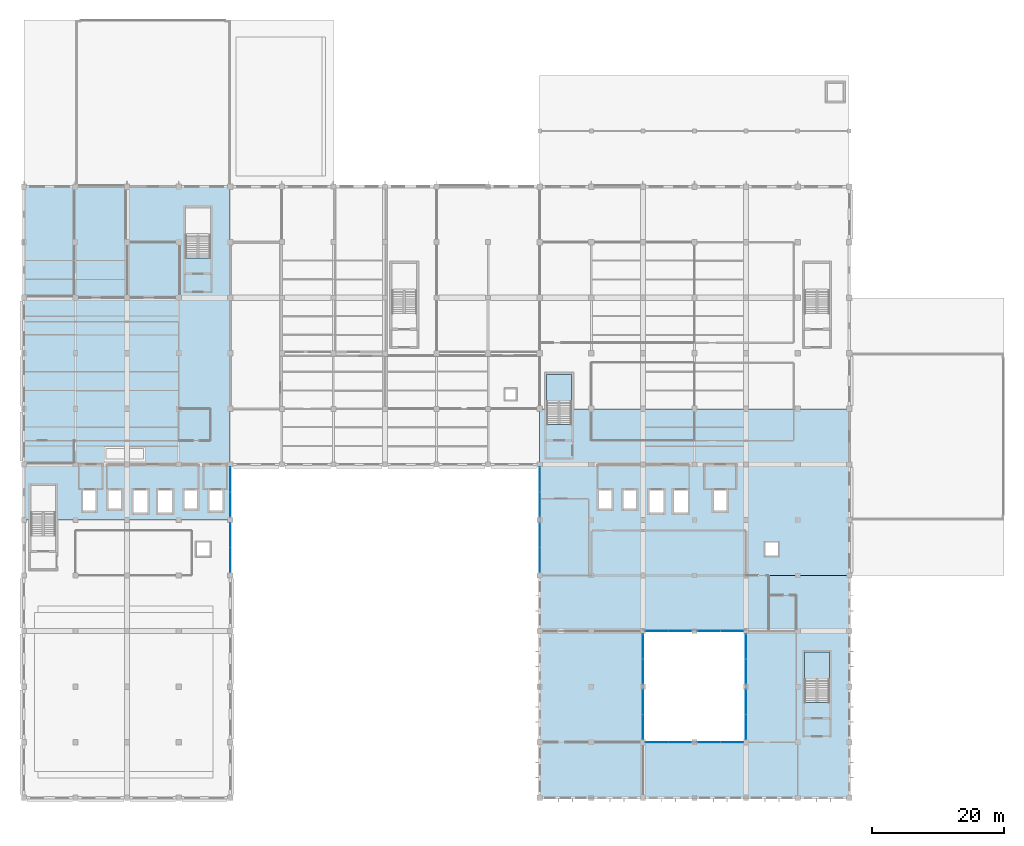
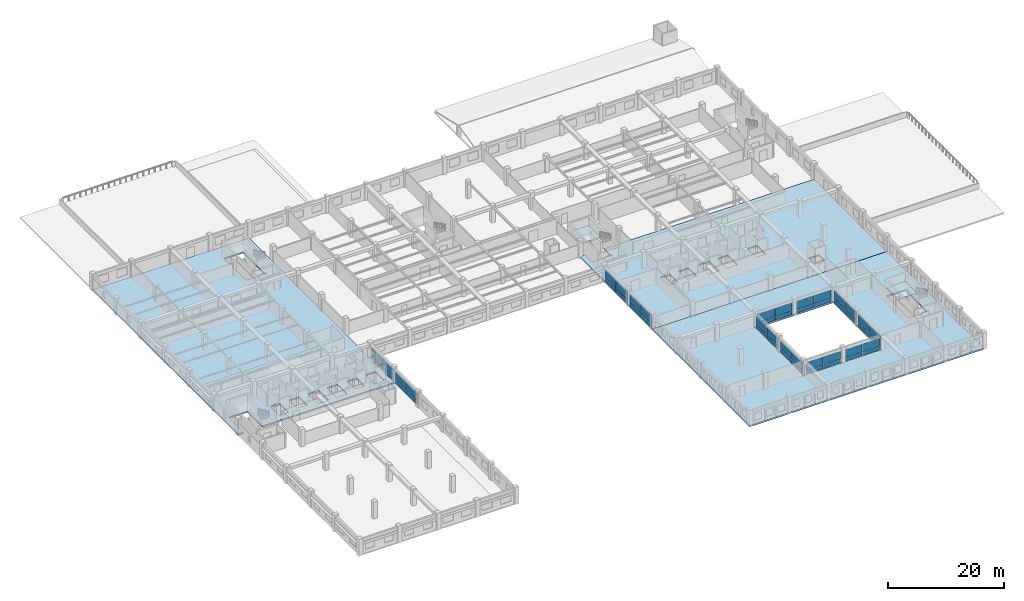
# One storey, part 26 of 50: 48 plates, 5 slabs, 14 elements without a shape of their own.
"""IFC4 building model written with IfcOpenShell, lengths in metres."""

from ifc_helpers import new_model, si_unit, direction, frame, origin, origin_2d, place, context, subcontext, project, spatial, polyline, rectangle, outline, extrude, material, layer, layer_set, type_object, element, aggregate, save


model = new_model("IFC4")

# Units and contexts
model_context = context("Model", 3, precision=1e-05, world=origin(), true_north=direction((0.0, 1.0)))
body_context = subcontext(model_context, "Body", "Model", "MODEL_VIEW")
ifc_project = project(units=[si_unit("LENGTHUNIT", "METRE"), si_unit("AREAUNIT", "SQUARE_METRE"), si_unit("VOLUMEUNIT", "CUBIC_METRE"), si_unit("PLANEANGLEUNIT", "RADIAN"), si_unit("MASSUNIT", "GRAM", prefix="KILO"), si_unit("THERMODYNAMICTEMPERATUREUNIT", "KELVIN"), si_unit("POWERUNIT", "WATT")], contexts=[model_context])

# Site, building, storey
site_placement = place(None, origin())
site = spatial("IfcSite", under=ifc_project, at=site_placement, CompositionType="ELEMENT")
building_placement = place(site_placement, origin())
building = spatial("IfcBuilding", under=site, at=building_placement, Name="Srebrne Nadtorze General Hospital", CompositionType="ELEMENT")
storey_placement = place(building_placement, frame((0.0, 0.0, 14.39990234375)))
storey = spatial("IfcBuildingStorey", under=building, at=storey_placement, Name="L03", CompositionType="ELEMENT", Elevation=14.39990234375)

# Curtain wall, plates
ifc_material_1 = material(Name="Anodised Aluminium", Category="aluminium")
curtain_wall_type_1 = type_object("IfcCurtainWallType", Name="Unitised curtain wall 7000x2620", PredefinedType="NOTDEFINED", material=ifc_material_1)
curtain_wall_1_placement = place(storey_placement, origin())
curtain_wall_1 = element("IfcCurtainWall", 1, at=curtain_wall_1_placement, inside=storey, type_object=curtain_wall_type_1, Name="Curtain wall CW-090", PredefinedType="NOTDEFINED")
ifc_material_2 = material(Name="Triple Low-E Glazing", Category="glass")
ifc_layer_1 = layer(ifc_material_2, 0.050048828125)
ifc_layer_set_1 = layer_set([ifc_layer_1], Name="Triple Low-E Glazing")
plate_type = type_object("IfcPlateType", Name="Glazed curtain panel 50", PredefinedType="CURTAIN_PANEL", material=ifc_layer_set_1)
plate_1_placement = place(storey_placement, frame((119.1650390625, 8.39990234375, 0.06005859375), z_axis=(0.0, 0.0, 1.0), x_axis=(1.0, 0.0, 0.0)))
plate_1 = element("IfcPlate", 2, at=plate_1_placement, type_object=plate_type, Name="CW-090 panel 1.1", PredefinedType="CURTAIN_PANEL", context=body_context, shape_type="SweptSolid", body=[
    extrude(rectangle(XDim=3.409912109375, YDim=0.050048828125, at=origin_2d()), origin(), (0.0, 0.0, 1.0), 0.760009765625),
])
plate_2_placement = place(storey_placement, frame((119.1650390625, 8.39990234375, 0.88037109375), z_axis=(0.0, 0.0, 1.0), x_axis=(1.0, 0.0, 0.0)))
plate_2 = element("IfcPlate", 3, at=plate_2_placement, type_object=plate_type, Name="CW-090 panel 1.2", PredefinedType="CURTAIN_PANEL", context=body_context, shape_type="SweptSolid", body=[
    extrude(rectangle(XDim=3.409912109375, YDim=0.050048828125, at=origin_2d()), origin(), (0.0, 0.0, 1.0), 1.679931640625),
])
plate_3_placement = place(storey_placement, frame((122.635009765625, 8.39990234375, 0.06005859375), z_axis=(0.0, 0.0, 1.0), x_axis=(1.0, 0.0, 0.0)))
plate_3 = element("IfcPlate", 4, at=plate_3_placement, type_object=plate_type, Name="CW-090 panel 2.1", PredefinedType="CURTAIN_PANEL", context=body_context, shape_type="SweptSolid", body=[
    extrude(rectangle(XDim=3.409912109375, YDim=0.050048828125, at=origin_2d()), origin(), (0.0, 0.0, 1.0), 0.760009765625),
])
plate_4_placement = place(storey_placement, frame((122.635009765625, 8.39990234375, 0.88037109375), z_axis=(0.0, 0.0, 1.0), x_axis=(1.0, 0.0, 0.0)))
plate_4 = element("IfcPlate", 5, at=plate_4_placement, type_object=plate_type, Name="CW-090 panel 2.2", PredefinedType="CURTAIN_PANEL", context=body_context, shape_type="SweptSolid", body=[
    extrude(rectangle(XDim=3.409912109375, YDim=0.050048828125, at=origin_2d()), origin(), (0.0, 0.0, 1.0), 1.679931640625),
])
aggregate(curtain_wall_1, [plate_1, plate_2, plate_3, plate_4])

curtain_wall_2_placement = place(storey_placement, origin())
curtain_wall_2 = element("IfcCurtainWall", 6, at=curtain_wall_2_placement, inside=storey, type_object=curtain_wall_type_1, Name="Curtain wall CW-091", PredefinedType="NOTDEFINED")
plate_5_placement = place(storey_placement, frame((126.96630859375, 8.39990234375, 0.065185546875), z_axis=(0.0, 0.0, 1.0), x_axis=(1.0, 0.0, 0.0)))
plate_5 = element("IfcPlate", 7, at=plate_5_placement, type_object=plate_type, Name="CW-091 panel 1.1", PredefinedType="CURTAIN_PANEL", context=body_context, shape_type="SweptSolid", body=[
    extrude(rectangle(XDim=3.402587890625, YDim=0.050048828125, at=origin_2d()), origin(), (0.0, 0.0, 1.0), 0.75244140625),
])
plate_6_placement = place(storey_placement, frame((126.96630859375, 8.39990234375, 0.88232421875), z_axis=(0.0, 0.0, 1.0), x_axis=(1.0, 0.0, 0.0)))
plate_6 = element("IfcPlate", 8, at=plate_6_placement, type_object=plate_type, Name="CW-091 panel 1.2", PredefinedType="CURTAIN_PANEL", context=body_context, shape_type="SweptSolid", body=[
    extrude(rectangle(XDim=3.402587890625, YDim=0.050048828125, at=origin_2d()), origin(), (0.0, 0.0, 1.0), 1.672607421875),
])
plate_7_placement = place(storey_placement, frame((130.433837890625, 8.39990234375, 0.065185546875), z_axis=(0.0, 0.0, 1.0), x_axis=(1.0, 0.0, 0.0)))
plate_7 = element("IfcPlate", 9, at=plate_7_placement, type_object=plate_type, Name="CW-091 panel 2.1", PredefinedType="CURTAIN_PANEL", context=body_context, shape_type="SweptSolid", body=[
    extrude(rectangle(XDim=3.402587890625, YDim=0.050048828125, at=origin_2d()), origin(), (0.0, 0.0, 1.0), 0.75244140625),
])
plate_8_placement = place(storey_placement, frame((130.433837890625, 8.39990234375, 0.88232421875), z_axis=(0.0, 0.0, 1.0), x_axis=(1.0, 0.0, 0.0)))
plate_8 = element("IfcPlate", 10, at=plate_8_placement, type_object=plate_type, Name="CW-091 panel 2.2", PredefinedType="CURTAIN_PANEL", context=body_context, shape_type="SweptSolid", body=[
    extrude(rectangle(XDim=3.402587890625, YDim=0.050048828125, at=origin_2d()), origin(), (0.0, 0.0, 1.0), 1.672607421875),
])
aggregate(curtain_wall_2, [plate_5, plate_6, plate_7, plate_8])

curtain_wall_3_placement = place(storey_placement, origin())
curtain_wall_3 = element("IfcCurtainWall", 11, at=curtain_wall_3_placement, inside=storey, type_object=curtain_wall_type_1, Name="Curtain wall CW-092", PredefinedType="NOTDEFINED")
plate_9_placement = place(storey_placement, frame((119.1650390625, 25.199951171875, 0.06005859375), z_axis=(0.0, 0.0, 1.0), x_axis=(1.0, 0.0, 0.0)))
plate_9 = element("IfcPlate", 12, at=plate_9_placement, type_object=plate_type, Name="CW-092 panel 1.1", PredefinedType="CURTAIN_PANEL", context=body_context, shape_type="SweptSolid", body=[
    extrude(rectangle(XDim=3.409912109375, YDim=0.050048828125, at=origin_2d()), origin(), (0.0, 0.0, 1.0), 0.760009765625),
])
plate_10_placement = place(storey_placement, frame((119.1650390625, 25.199951171875, 0.88037109375), z_axis=(0.0, 0.0, 1.0), x_axis=(1.0, 0.0, 0.0)))
plate_10 = element("IfcPlate", 13, at=plate_10_placement, type_object=plate_type, Name="CW-092 panel 1.2", PredefinedType="CURTAIN_PANEL", context=body_context, shape_type="SweptSolid", body=[
    extrude(rectangle(XDim=3.409912109375, YDim=0.050048828125, at=origin_2d()), origin(), (0.0, 0.0, 1.0), 1.679931640625),
])
plate_11_placement = place(storey_placement, frame((122.635009765625, 25.199951171875, 0.06005859375), z_axis=(0.0, 0.0, 1.0), x_axis=(1.0, 0.0, 0.0)))
plate_11 = element("IfcPlate", 14, at=plate_11_placement, type_object=plate_type, Name="CW-092 panel 2.1", PredefinedType="CURTAIN_PANEL", context=body_context, shape_type="SweptSolid", body=[
    extrude(rectangle(XDim=3.409912109375, YDim=0.050048828125, at=origin_2d()), origin(), (0.0, 0.0, 1.0), 0.760009765625),
])
plate_12_placement = place(storey_placement, frame((122.635009765625, 25.199951171875, 0.88037109375), z_axis=(0.0, 0.0, 1.0), x_axis=(1.0, 0.0, 0.0)))
plate_12 = element("IfcPlate", 15, at=plate_12_placement, type_object=plate_type, Name="CW-092 panel 2.2", PredefinedType="CURTAIN_PANEL", context=body_context, shape_type="SweptSolid", body=[
    extrude(rectangle(XDim=3.409912109375, YDim=0.050048828125, at=origin_2d()), origin(), (0.0, 0.0, 1.0), 1.679931640625),
])
aggregate(curtain_wall_3, [plate_9, plate_10, plate_11, plate_12])

curtain_wall_4_placement = place(storey_placement, origin())
curtain_wall_4 = element("IfcCurtainWall", 16, at=curtain_wall_4_placement, inside=storey, type_object=curtain_wall_type_1, Name="Curtain wall CW-093", PredefinedType="NOTDEFINED")
plate_13_placement = place(storey_placement, frame((126.96630859375, 25.199951171875, 0.065185546875), z_axis=(0.0, 0.0, 1.0), x_axis=(1.0, 0.0, 0.0)))
plate_13 = element("IfcPlate", 17, at=plate_13_placement, type_object=plate_type, Name="CW-093 panel 1.1", PredefinedType="CURTAIN_PANEL", context=body_context, shape_type="SweptSolid", body=[
    extrude(rectangle(XDim=3.402587890625, YDim=0.050048828125, at=origin_2d()), origin(), (0.0, 0.0, 1.0), 0.75244140625),
])
plate_14_placement = place(storey_placement, frame((126.96630859375, 25.199951171875, 0.88232421875), z_axis=(0.0, 0.0, 1.0), x_axis=(1.0, 0.0, 0.0)))
plate_14 = element("IfcPlate", 18, at=plate_14_placement, type_object=plate_type, Name="CW-093 panel 1.2", PredefinedType="CURTAIN_PANEL", context=body_context, shape_type="SweptSolid", body=[
    extrude(rectangle(XDim=3.402587890625, YDim=0.050048828125, at=origin_2d()), origin(), (0.0, 0.0, 1.0), 1.672607421875),
])
plate_15_placement = place(storey_placement, frame((130.433837890625, 25.199951171875, 0.065185546875), z_axis=(0.0, 0.0, 1.0), x_axis=(1.0, 0.0, 0.0)))
plate_15 = element("IfcPlate", 19, at=plate_15_placement, type_object=plate_type, Name="CW-093 panel 2.1", PredefinedType="CURTAIN_PANEL", context=body_context, shape_type="SweptSolid", body=[
    extrude(rectangle(XDim=3.402587890625, YDim=0.050048828125, at=origin_2d()), origin(), (0.0, 0.0, 1.0), 0.75244140625),
])
plate_16_placement = place(storey_placement, frame((130.433837890625, 25.199951171875, 0.88232421875), z_axis=(0.0, 0.0, 1.0), x_axis=(1.0, 0.0, 0.0)))
plate_16 = element("IfcPlate", 20, at=plate_16_placement, type_object=plate_type, Name="CW-093 panel 2.2", PredefinedType="CURTAIN_PANEL", context=body_context, shape_type="SweptSolid", body=[
    extrude(rectangle(XDim=3.402587890625, YDim=0.050048828125, at=origin_2d()), origin(), (0.0, 0.0, 1.0), 1.672607421875),
])
aggregate(curtain_wall_4, [plate_13, plate_14, plate_15, plate_16])

ifc_material_3 = material(Name="Anodised Aluminium", Category="aluminium")
curtain_wall_type_2 = type_object("IfcCurtainWallType", Name="Unitised curtain wall 7600x2620", PredefinedType="NOTDEFINED", material=ifc_material_3)
curtain_wall_5_placement = place(storey_placement, origin())
curtain_wall_5 = element("IfcCurtainWall", 21, at=curtain_wall_5_placement, inside=storey, type_object=curtain_wall_type_2, Name="Curtain wall CW-094", PredefinedType="NOTDEFINED")
plate_17_placement = place(storey_placement, frame((54.60009765625, 35.9150390625, 0.06005859375), z_axis=(0.0, 0.0, 1.0), x_axis=(0.0, 1.0, 0.0)))
plate_17 = element("IfcPlate", 22, at=plate_17_placement, type_object=plate_type, Name="CW-094 panel 1.1", PredefinedType="CURTAIN_PANEL", context=body_context, shape_type="SweptSolid", body=[
    extrude(rectangle(XDim=3.7099609375, YDim=0.050048828125, at=origin_2d()), origin(), (0.0, 0.0, 1.0), 0.760009765625),
])
plate_18_placement = place(storey_placement, frame((54.60009765625, 35.9150390625, 0.88037109375), z_axis=(0.0, 0.0, 1.0), x_axis=(0.0, 1.0, 0.0)))
plate_18 = element("IfcPlate", 23, at=plate_18_placement, type_object=plate_type, Name="CW-094 panel 1.2", PredefinedType="CURTAIN_PANEL", context=body_context, shape_type="SweptSolid", body=[
    extrude(rectangle(XDim=3.7099609375, YDim=0.050048828125, at=origin_2d()), origin(), (0.0, 0.0, 1.0), 1.679931640625),
])
plate_19_placement = place(storey_placement, frame((54.60009765625, 39.68505859375, 0.06005859375), z_axis=(0.0, 0.0, 1.0), x_axis=(0.0, 1.0, 0.0)))
plate_19 = element("IfcPlate", 24, at=plate_19_placement, type_object=plate_type, Name="CW-094 panel 2.1", PredefinedType="CURTAIN_PANEL", context=body_context, shape_type="SweptSolid", body=[
    extrude(rectangle(XDim=3.7099609375, YDim=0.050048828125, at=origin_2d()), origin(), (0.0, 0.0, 1.0), 0.760009765625),
])
plate_20_placement = place(storey_placement, frame((54.60009765625, 39.68505859375, 0.88037109375), z_axis=(0.0, 0.0, 1.0), x_axis=(0.0, 1.0, 0.0)))
plate_20 = element("IfcPlate", 25, at=plate_20_placement, type_object=plate_type, Name="CW-094 panel 2.2", PredefinedType="CURTAIN_PANEL", context=body_context, shape_type="SweptSolid", body=[
    extrude(rectangle(XDim=3.7099609375, YDim=0.050048828125, at=origin_2d()), origin(), (0.0, 0.0, 1.0), 1.679931640625),
])
aggregate(curtain_wall_5, [plate_17, plate_18, plate_19, plate_20])

curtain_wall_6_placement = place(storey_placement, origin())
curtain_wall_6 = element("IfcCurtainWall", 26, at=curtain_wall_6_placement, inside=storey, type_object=curtain_wall_type_2, Name="Curtain wall CW-095", PredefinedType="NOTDEFINED")
plate_21_placement = place(storey_placement, frame((54.60009765625, 44.316162109375, 0.065185546875), z_axis=(0.0, 0.0, 1.0), x_axis=(0.0, 1.0, 0.0)))
plate_21 = element("IfcPlate", 27, at=plate_21_placement, type_object=plate_type, Name="CW-095 panel 1.1", PredefinedType="CURTAIN_PANEL", context=body_context, shape_type="SweptSolid", body=[
    extrude(rectangle(XDim=3.702392578125, YDim=0.050048828125, at=origin_2d()), origin(), (0.0, 0.0, 1.0), 0.75244140625),
])
plate_22_placement = place(storey_placement, frame((54.60009765625, 44.316162109375, 0.88232421875), z_axis=(0.0, 0.0, 1.0), x_axis=(0.0, 1.0, 0.0)))
plate_22 = element("IfcPlate", 28, at=plate_22_placement, type_object=plate_type, Name="CW-095 panel 1.2", PredefinedType="CURTAIN_PANEL", context=body_context, shape_type="SweptSolid", body=[
    extrude(rectangle(XDim=3.702392578125, YDim=0.050048828125, at=origin_2d()), origin(), (0.0, 0.0, 1.0), 1.672607421875),
])
plate_23_placement = place(storey_placement, frame((54.60009765625, 48.083740234375, 0.065185546875), z_axis=(0.0, 0.0, 1.0), x_axis=(0.0, 1.0, 0.0)))
plate_23 = element("IfcPlate", 29, at=plate_23_placement, type_object=plate_type, Name="CW-095 panel 2.1", PredefinedType="CURTAIN_PANEL", context=body_context, shape_type="SweptSolid", body=[
    extrude(rectangle(XDim=3.702392578125, YDim=0.050048828125, at=origin_2d()), origin(), (0.0, 0.0, 1.0), 0.75244140625),
])
plate_24_placement = place(storey_placement, frame((54.60009765625, 48.083740234375, 0.88232421875), z_axis=(0.0, 0.0, 1.0), x_axis=(0.0, 1.0, 0.0)))
plate_24 = element("IfcPlate", 30, at=plate_24_placement, type_object=plate_type, Name="CW-095 panel 2.2", PredefinedType="CURTAIN_PANEL", context=body_context, shape_type="SweptSolid", body=[
    extrude(rectangle(XDim=3.702392578125, YDim=0.050048828125, at=origin_2d()), origin(), (0.0, 0.0, 1.0), 1.672607421875),
])
aggregate(curtain_wall_6, [plate_21, plate_22, plate_23, plate_24])

curtain_wall_7_placement = place(storey_placement, origin())
curtain_wall_7 = element("IfcCurtainWall", 31, at=curtain_wall_7_placement, inside=storey, type_object=curtain_wall_type_2, Name="Curtain wall CW-096", PredefinedType="NOTDEFINED")
plate_25_placement = place(storey_placement, frame((101.39990234375, 35.9150390625, 0.06005859375), z_axis=(0.0, 0.0, 1.0), x_axis=(0.0, 1.0, 0.0)))
plate_25 = element("IfcPlate", 32, at=plate_25_placement, type_object=plate_type, Name="CW-096 panel 1.1", PredefinedType="CURTAIN_PANEL", context=body_context, shape_type="SweptSolid", body=[
    extrude(rectangle(XDim=3.7099609375, YDim=0.050048828125, at=origin_2d()), origin(), (0.0, 0.0, 1.0), 0.760009765625),
])
plate_26_placement = place(storey_placement, frame((101.39990234375, 35.9150390625, 0.88037109375), z_axis=(0.0, 0.0, 1.0), x_axis=(0.0, 1.0, 0.0)))
plate_26 = element("IfcPlate", 33, at=plate_26_placement, type_object=plate_type, Name="CW-096 panel 1.2", PredefinedType="CURTAIN_PANEL", context=body_context, shape_type="SweptSolid", body=[
    extrude(rectangle(XDim=3.7099609375, YDim=0.050048828125, at=origin_2d()), origin(), (0.0, 0.0, 1.0), 1.679931640625),
])
plate_27_placement = place(storey_placement, frame((101.39990234375, 39.68505859375, 0.06005859375), z_axis=(0.0, 0.0, 1.0), x_axis=(0.0, 1.0, 0.0)))
plate_27 = element("IfcPlate", 34, at=plate_27_placement, type_object=plate_type, Name="CW-096 panel 2.1", PredefinedType="CURTAIN_PANEL", context=body_context, shape_type="SweptSolid", body=[
    extrude(rectangle(XDim=3.7099609375, YDim=0.050048828125, at=origin_2d()), origin(), (0.0, 0.0, 1.0), 0.760009765625),
])
plate_28_placement = place(storey_placement, frame((101.39990234375, 39.68505859375, 0.88037109375), z_axis=(0.0, 0.0, 1.0), x_axis=(0.0, 1.0, 0.0)))
plate_28 = element("IfcPlate", 35, at=plate_28_placement, type_object=plate_type, Name="CW-096 panel 2.2", PredefinedType="CURTAIN_PANEL", context=body_context, shape_type="SweptSolid", body=[
    extrude(rectangle(XDim=3.7099609375, YDim=0.050048828125, at=origin_2d()), origin(), (0.0, 0.0, 1.0), 1.679931640625),
])
aggregate(curtain_wall_7, [plate_25, plate_26, plate_27, plate_28])

curtain_wall_8_placement = place(storey_placement, origin())
curtain_wall_8 = element("IfcCurtainWall", 36, at=curtain_wall_8_placement, inside=storey, type_object=curtain_wall_type_2, Name="Curtain wall CW-097", PredefinedType="NOTDEFINED")
plate_29_placement = place(storey_placement, frame((101.39990234375, 44.316162109375, 0.065185546875), z_axis=(0.0, 0.0, 1.0), x_axis=(0.0, 1.0, 0.0)))
plate_29 = element("IfcPlate", 37, at=plate_29_placement, type_object=plate_type, Name="CW-097 panel 1.1", PredefinedType="CURTAIN_PANEL", context=body_context, shape_type="SweptSolid", body=[
    extrude(rectangle(XDim=3.702392578125, YDim=0.050048828125, at=origin_2d()), origin(), (0.0, 0.0, 1.0), 0.75244140625),
])
plate_30_placement = place(storey_placement, frame((101.39990234375, 44.316162109375, 0.88232421875), z_axis=(0.0, 0.0, 1.0), x_axis=(0.0, 1.0, 0.0)))
plate_30 = element("IfcPlate", 38, at=plate_30_placement, type_object=plate_type, Name="CW-097 panel 1.2", PredefinedType="CURTAIN_PANEL", context=body_context, shape_type="SweptSolid", body=[
    extrude(rectangle(XDim=3.702392578125, YDim=0.050048828125, at=origin_2d()), origin(), (0.0, 0.0, 1.0), 1.672607421875),
])
plate_31_placement = place(storey_placement, frame((101.39990234375, 48.083740234375, 0.065185546875), z_axis=(0.0, 0.0, 1.0), x_axis=(0.0, 1.0, 0.0)))
plate_31 = element("IfcPlate", 39, at=plate_31_placement, type_object=plate_type, Name="CW-097 panel 2.1", PredefinedType="CURTAIN_PANEL", context=body_context, shape_type="SweptSolid", body=[
    extrude(rectangle(XDim=3.702392578125, YDim=0.050048828125, at=origin_2d()), origin(), (0.0, 0.0, 1.0), 0.75244140625),
])
plate_32_placement = place(storey_placement, frame((101.39990234375, 48.083740234375, 0.88232421875), z_axis=(0.0, 0.0, 1.0), x_axis=(0.0, 1.0, 0.0)))
plate_32 = element("IfcPlate", 40, at=plate_32_placement, type_object=plate_type, Name="CW-097 panel 2.2", PredefinedType="CURTAIN_PANEL", context=body_context, shape_type="SweptSolid", body=[
    extrude(rectangle(XDim=3.702392578125, YDim=0.050048828125, at=origin_2d()), origin(), (0.0, 0.0, 1.0), 1.672607421875),
])
aggregate(curtain_wall_8, [plate_29, plate_30, plate_31, plate_32])

curtain_wall_9_placement = place(storey_placement, origin())
curtain_wall_9 = element("IfcCurtainWall", 41, at=curtain_wall_9_placement, inside=storey, type_object=curtain_wall_type_2, Name="Curtain wall CW-098", PredefinedType="NOTDEFINED")
plate_33_placement = place(storey_placement, frame((117.0, 10.715087890625, 0.06005859375), z_axis=(0.0, 0.0, 1.0), x_axis=(0.0, 1.0, 0.0)))
plate_33 = element("IfcPlate", 42, at=plate_33_placement, type_object=plate_type, Name="CW-098 panel 1.1", PredefinedType="CURTAIN_PANEL", context=body_context, shape_type="SweptSolid", body=[
    extrude(rectangle(XDim=3.7099609375, YDim=0.050048828125, at=origin_2d()), origin(), (0.0, 0.0, 1.0), 0.760009765625),
])
plate_34_placement = place(storey_placement, frame((117.0, 10.715087890625, 0.88037109375), z_axis=(0.0, 0.0, 1.0), x_axis=(0.0, 1.0, 0.0)))
plate_34 = element("IfcPlate", 43, at=plate_34_placement, type_object=plate_type, Name="CW-098 panel 1.2", PredefinedType="CURTAIN_PANEL", context=body_context, shape_type="SweptSolid", body=[
    extrude(rectangle(XDim=3.7099609375, YDim=0.050048828125, at=origin_2d()), origin(), (0.0, 0.0, 1.0), 1.679931640625),
])
plate_35_placement = place(storey_placement, frame((117.0, 14.485107421875, 0.06005859375), z_axis=(0.0, 0.0, 1.0), x_axis=(0.0, 1.0, 0.0)))
plate_35 = element("IfcPlate", 44, at=plate_35_placement, type_object=plate_type, Name="CW-098 panel 2.1", PredefinedType="CURTAIN_PANEL", context=body_context, shape_type="SweptSolid", body=[
    extrude(rectangle(XDim=3.7099609375, YDim=0.050048828125, at=origin_2d()), origin(), (0.0, 0.0, 1.0), 0.760009765625),
])
plate_36_placement = place(storey_placement, frame((117.0, 14.485107421875, 0.88037109375), z_axis=(0.0, 0.0, 1.0), x_axis=(0.0, 1.0, 0.0)))
plate_36 = element("IfcPlate", 45, at=plate_36_placement, type_object=plate_type, Name="CW-098 panel 2.2", PredefinedType="CURTAIN_PANEL", context=body_context, shape_type="SweptSolid", body=[
    extrude(rectangle(XDim=3.7099609375, YDim=0.050048828125, at=origin_2d()), origin(), (0.0, 0.0, 1.0), 1.679931640625),
])
aggregate(curtain_wall_9, [plate_33, plate_34, plate_35, plate_36])

curtain_wall_10_placement = place(storey_placement, origin())
curtain_wall_10 = element("IfcCurtainWall", 46, at=curtain_wall_10_placement, inside=storey, type_object=curtain_wall_type_2, Name="Curtain wall CW-099", PredefinedType="NOTDEFINED")
plate_37_placement = place(storey_placement, frame((117.0, 19.1162109375, 0.065185546875), z_axis=(0.0, 0.0, 1.0), x_axis=(0.0, 1.0, 0.0)))
plate_37 = element("IfcPlate", 47, at=plate_37_placement, type_object=plate_type, Name="CW-099 panel 1.1", PredefinedType="CURTAIN_PANEL", context=body_context, shape_type="SweptSolid", body=[
    extrude(rectangle(XDim=3.702392578125, YDim=0.050048828125, at=origin_2d()), origin(), (0.0, 0.0, 1.0), 0.75244140625),
])
plate_38_placement = place(storey_placement, frame((117.0, 19.1162109375, 0.88232421875), z_axis=(0.0, 0.0, 1.0), x_axis=(0.0, 1.0, 0.0)))
plate_38 = element("IfcPlate", 48, at=plate_38_placement, type_object=plate_type, Name="CW-099 panel 1.2", PredefinedType="CURTAIN_PANEL", context=body_context, shape_type="SweptSolid", body=[
    extrude(rectangle(XDim=3.702392578125, YDim=0.050048828125, at=origin_2d()), origin(), (0.0, 0.0, 1.0), 1.672607421875),
])
plate_39_placement = place(storey_placement, frame((117.0, 22.8837890625, 0.065185546875), z_axis=(0.0, 0.0, 1.0), x_axis=(0.0, 1.0, 0.0)))
plate_39 = element("IfcPlate", 49, at=plate_39_placement, type_object=plate_type, Name="CW-099 panel 2.1", PredefinedType="CURTAIN_PANEL", context=body_context, shape_type="SweptSolid", body=[
    extrude(rectangle(XDim=3.702392578125, YDim=0.050048828125, at=origin_2d()), origin(), (0.0, 0.0, 1.0), 0.75244140625),
])
plate_40_placement = place(storey_placement, frame((117.0, 22.8837890625, 0.88232421875), z_axis=(0.0, 0.0, 1.0), x_axis=(0.0, 1.0, 0.0)))
plate_40 = element("IfcPlate", 50, at=plate_40_placement, type_object=plate_type, Name="CW-099 panel 2.2", PredefinedType="CURTAIN_PANEL", context=body_context, shape_type="SweptSolid", body=[
    extrude(rectangle(XDim=3.702392578125, YDim=0.050048828125, at=origin_2d()), origin(), (0.0, 0.0, 1.0), 1.672607421875),
])
aggregate(curtain_wall_10, [plate_37, plate_38, plate_39, plate_40])

curtain_wall_11_placement = place(storey_placement, origin())
curtain_wall_11 = element("IfcCurtainWall", 51, at=curtain_wall_11_placement, inside=storey, type_object=curtain_wall_type_2, Name="Curtain wall CW-100", PredefinedType="NOTDEFINED")
plate_41_placement = place(storey_placement, frame((132.60009765625, 10.715087890625, 0.06005859375), z_axis=(0.0, 0.0, 1.0), x_axis=(0.0, 1.0, 0.0)))
plate_41 = element("IfcPlate", 52, at=plate_41_placement, type_object=plate_type, Name="CW-100 panel 1.1", PredefinedType="CURTAIN_PANEL", context=body_context, shape_type="SweptSolid", body=[
    extrude(rectangle(XDim=3.7099609375, YDim=0.050048828125, at=origin_2d()), origin(), (0.0, 0.0, 1.0), 0.760009765625),
])
plate_42_placement = place(storey_placement, frame((132.60009765625, 10.715087890625, 0.88037109375), z_axis=(0.0, 0.0, 1.0), x_axis=(0.0, 1.0, 0.0)))
plate_42 = element("IfcPlate", 53, at=plate_42_placement, type_object=plate_type, Name="CW-100 panel 1.2", PredefinedType="CURTAIN_PANEL", context=body_context, shape_type="SweptSolid", body=[
    extrude(rectangle(XDim=3.7099609375, YDim=0.050048828125, at=origin_2d()), origin(), (0.0, 0.0, 1.0), 1.679931640625),
])
plate_43_placement = place(storey_placement, frame((132.60009765625, 14.485107421875, 0.06005859375), z_axis=(0.0, 0.0, 1.0), x_axis=(0.0, 1.0, 0.0)))
plate_43 = element("IfcPlate", 54, at=plate_43_placement, type_object=plate_type, Name="CW-100 panel 2.1", PredefinedType="CURTAIN_PANEL", context=body_context, shape_type="SweptSolid", body=[
    extrude(rectangle(XDim=3.7099609375, YDim=0.050048828125, at=origin_2d()), origin(), (0.0, 0.0, 1.0), 0.760009765625),
])
plate_44_placement = place(storey_placement, frame((132.60009765625, 14.485107421875, 0.88037109375), z_axis=(0.0, 0.0, 1.0), x_axis=(0.0, 1.0, 0.0)))
plate_44 = element("IfcPlate", 55, at=plate_44_placement, type_object=plate_type, Name="CW-100 panel 2.2", PredefinedType="CURTAIN_PANEL", context=body_context, shape_type="SweptSolid", body=[
    extrude(rectangle(XDim=3.7099609375, YDim=0.050048828125, at=origin_2d()), origin(), (0.0, 0.0, 1.0), 1.679931640625),
])
aggregate(curtain_wall_11, [plate_41, plate_42, plate_43, plate_44])

curtain_wall_12_placement = place(storey_placement, origin())
curtain_wall_12 = element("IfcCurtainWall", 56, at=curtain_wall_12_placement, inside=storey, type_object=curtain_wall_type_2, Name="Curtain wall CW-101", PredefinedType="NOTDEFINED")
plate_45_placement = place(storey_placement, frame((132.60009765625, 19.1162109375, 0.065185546875), z_axis=(0.0, 0.0, 1.0), x_axis=(0.0, 1.0, 0.0)))
plate_45 = element("IfcPlate", 57, at=plate_45_placement, type_object=plate_type, Name="CW-101 panel 1.1", PredefinedType="CURTAIN_PANEL", context=body_context, shape_type="SweptSolid", body=[
    extrude(rectangle(XDim=3.702392578125, YDim=0.050048828125, at=origin_2d()), origin(), (0.0, 0.0, 1.0), 0.75244140625),
])
plate_46_placement = place(storey_placement, frame((132.60009765625, 19.1162109375, 0.88232421875), z_axis=(0.0, 0.0, 1.0), x_axis=(0.0, 1.0, 0.0)))
plate_46 = element("IfcPlate", 58, at=plate_46_placement, type_object=plate_type, Name="CW-101 panel 1.2", PredefinedType="CURTAIN_PANEL", context=body_context, shape_type="SweptSolid", body=[
    extrude(rectangle(XDim=3.702392578125, YDim=0.050048828125, at=origin_2d()), origin(), (0.0, 0.0, 1.0), 1.672607421875),
])
plate_47_placement = place(storey_placement, frame((132.60009765625, 22.8837890625, 0.065185546875), z_axis=(0.0, 0.0, 1.0), x_axis=(0.0, 1.0, 0.0)))
plate_47 = element("IfcPlate", 59, at=plate_47_placement, type_object=plate_type, Name="CW-101 panel 2.1", PredefinedType="CURTAIN_PANEL", context=body_context, shape_type="SweptSolid", body=[
    extrude(rectangle(XDim=3.702392578125, YDim=0.050048828125, at=origin_2d()), origin(), (0.0, 0.0, 1.0), 0.75244140625),
])
plate_48_placement = place(storey_placement, frame((132.60009765625, 22.8837890625, 0.88232421875), z_axis=(0.0, 0.0, 1.0), x_axis=(0.0, 1.0, 0.0)))
plate_48 = element("IfcPlate", 60, at=plate_48_placement, type_object=plate_type, Name="CW-101 panel 2.2", PredefinedType="CURTAIN_PANEL", context=body_context, shape_type="SweptSolid", body=[
    extrude(rectangle(XDim=3.702392578125, YDim=0.050048828125, at=origin_2d()), origin(), (0.0, 0.0, 1.0), 1.672607421875),
])
aggregate(curtain_wall_12, [plate_45, plate_46, plate_47, plate_48])

# Slabs
ifc_material_4 = material(Name="Concrete C35/45", Category="concrete")
ifc_layer_2 = layer(ifc_material_4, 0.280029296875)
ifc_layer_set_2 = layer_set([ifc_layer_2], Name="Concrete C35/45")
slab_type_1 = type_object("IfcSlabType", Name="Interstitial slab 280", PredefinedType="FLOOR", material=ifc_layer_set_2)
slab_1_placement = place(storey_placement, frame((0.0, 0.0, -0.27978515625)))
element("IfcSlab", 61, at=slab_1_placement, inside=storey, type_object=slab_type_1, Name="Suspended floor slab SL-L03-WN", PredefinedType="FLOOR", context=body_context, shape_type="SweptSolid", body=[
    extrude(outline(polyline([(24.449951171875, 42.0), (24.449951171875, 47.199951171875), (28.199951171875, 47.199951171875), (28.199951171875, 42.0), (54.60009765625, 42.0), (54.60009765625, 92.39990234375), (23.39990234375, 92.39990234375), (23.39990234375, 42.0), (24.449951171875, 42.0)]), holes=[polyline([(42.10009765625, 43.110107421875), (40.0, 43.110107421875), (40.0, 46.4599609375), (42.10009765625, 46.4599609375), (42.10009765625, 43.110107421875)]), polyline([(43.699951171875, 43.110107421875), (43.699951171875, 46.4599609375), (45.800048828125, 46.4599609375), (45.800048828125, 43.110107421875), (43.699951171875, 43.110107421875)]), polyline([(32.35009765625, 43.409912109375), (32.35009765625, 46.4599609375), (34.25, 46.4599609375), (34.25, 43.409912109375), (32.35009765625, 43.409912109375)]), polyline([(53.39990234375, 43.409912109375), (51.5, 43.409912109375), (51.5, 46.4599609375), (53.39990234375, 46.4599609375), (53.39990234375, 43.409912109375)]), polyline([(38.10009765625, 43.7099609375), (36.199951171875, 43.7099609375), (36.199951171875, 46.4599609375), (38.10009765625, 46.4599609375), (38.10009765625, 43.7099609375)]), polyline([(49.60009765625, 43.7099609375), (47.699951171875, 43.7099609375), (47.699951171875, 46.4599609375), (49.60009765625, 46.4599609375), (49.60009765625, 43.7099609375)]), polyline([(51.60009765625, 81.60498046875), (47.85009765625, 81.60498046875), (47.85009765625, 89.199951171875), (51.60009765625, 89.199951171875), (51.60009765625, 81.60498046875)])]), origin(), (0.0, 0.0, 1.0), 0.27978515625),
])
slab_2_placement = place(storey_placement, frame((0.0, 0.0, -0.27978515625)))
element("IfcSlab", 62, at=slab_2_placement, inside=storey, type_object=slab_type_1, Name="Suspended floor slab SL-L03-ES", PredefinedType="FLOOR", context=body_context, shape_type="SweptSolid", body=[
    extrude(outline(polyline([(106.199951171875, 58.800048828125), (106.199951171875, 56.405029296875), (102.449951171875, 56.405029296875), (102.449951171875, 58.800048828125), (101.39990234375, 58.800048828125), (101.39990234375, 33.60009765625), (148.199951171875, 33.60009765625), (148.199951171875, 58.800048828125), (106.199951171875, 58.800048828125)]), holes=[polyline([(135.5, 36.60009765625), (135.5, 38.60009765625), (137.5, 38.60009765625), (137.5, 36.60009765625), (135.5, 36.60009765625)]), polyline([(118.0, 43.110107421875), (118.0, 46.4599609375), (120.10009765625, 46.4599609375), (120.10009765625, 43.110107421875), (118.0, 43.110107421875)]), polyline([(123.800048828125, 43.110107421875), (121.699951171875, 43.110107421875), (121.699951171875, 46.4599609375), (123.800048828125, 46.4599609375), (123.800048828125, 43.110107421875)]), polyline([(127.75, 43.409912109375), (127.75, 46.4599609375), (129.64990234375, 46.4599609375), (129.64990234375, 43.409912109375), (127.75, 43.409912109375)]), polyline([(110.35009765625, 43.7099609375), (110.35009765625, 46.4599609375), (112.25, 46.4599609375), (112.25, 43.7099609375), (110.35009765625, 43.7099609375)]), polyline([(115.949951171875, 43.7099609375), (114.050048828125, 43.7099609375), (114.050048828125, 46.4599609375), (115.949951171875, 46.4599609375), (115.949951171875, 43.7099609375)])]), origin(), (0.0, 0.0, 1.0), 0.27978515625),
])

# Stair, slab
ifc_material_5 = material(Name="Concrete C35/45", Category="concrete")
stair_type = type_object("IfcStairType", Name="Dog-leg escape stair 360", PredefinedType="HALF_TURN_STAIR", material=ifc_material_5)
stair_1_placement = place(storey_placement, origin())
stair_1 = element("IfcStair", 63, at=stair_1_placement, inside=storey, type_object=stair_type, Name="Escape stair ST-03-L03", PredefinedType="HALF_TURN_STAIR")
ifc_material_6 = material(Name="Concrete C35/45", Category="concrete")
ifc_layer_3 = layer(ifc_material_6, 0.219970703125)
ifc_layer_set_3 = layer_set([ifc_layer_3], Name="Concrete C35/45")
slab_type_2 = type_object("IfcSlabType", Name="Stair landing slab 220", PredefinedType="LANDING", material=ifc_layer_set_3)
slab_3_placement = place(storey_placement, frame((0.0, 0.0, 1.580078125)))
slab_3 = element("IfcSlab", 64, at=slab_3_placement, type_object=slab_type_2, Name="ST-03 landing 1", PredefinedType="LANDING", context=body_context, shape_type="SweptSolid", body=[
    extrude(outline(polyline([(102.449951171875, 59.919921875), (106.199951171875, 59.919921875), (106.199951171875, 64.0), (102.449951171875, 64.0), (102.449951171875, 59.919921875)])), origin(), (0.0, 0.0, 1.0), 0.219970703125),
])
aggregate(stair_1, [slab_3])

stair_2_placement = place(storey_placement, origin())
stair_2 = element("IfcStair", 65, at=stair_2_placement, inside=storey, type_object=stair_type, Name="Escape stair ST-08-L03", PredefinedType="HALF_TURN_STAIR")
slab_4_placement = place(storey_placement, frame((0.0, 0.0, 1.580078125)))
slab_4 = element("IfcSlab", 66, at=slab_4_placement, type_object=slab_type_2, Name="ST-08 landing 1", PredefinedType="LANDING", context=body_context, shape_type="SweptSolid", body=[
    extrude(outline(polyline([(141.449951171875, 17.919921875), (145.199951171875, 17.919921875), (145.199951171875, 22.0), (141.449951171875, 22.0), (141.449951171875, 17.919921875)])), origin(), (0.0, 0.0, 1.0), 0.219970703125),
])
aggregate(stair_2, [slab_4])

# Slab
ifc_material_7 = material(Name="Concrete C35/45", Category="concrete")
ifc_layer_4 = layer(ifc_material_7, 0.31494140625)
ifc_layer_set_4 = layer_set([ifc_layer_4], Name="Concrete C35/45")
slab_type_3 = type_object("IfcSlabType", Name="Suspended floor slab 315", PredefinedType="FLOOR", material=ifc_layer_set_4)
slab_5_placement = place(storey_placement, frame((0.0, 0.0, -0.31494140625)))
element("IfcSlab", 67, at=slab_5_placement, inside=storey, type_object=slab_type_3, Name="Suspended floor slab SL-L03-CLI", PredefinedType="FLOOR", context=body_context, shape_type="SweptSolid", body=[
    extrude(outline(polyline([(148.199951171875, 0.0), (148.199951171875, 33.60009765625), (101.39990234375, 33.60009765625), (101.39990234375, 0.0), (148.199951171875, 0.0)]), holes=[polyline([(132.60009765625, 8.39990234375), (117.0, 8.39990234375), (117.0, 25.199951171875), (132.60009765625, 25.199951171875), (132.60009765625, 8.39990234375)]), polyline([(145.199951171875, 14.405029296875), (141.449951171875, 14.405029296875), (141.449951171875, 22.0), (145.199951171875, 22.0), (145.199951171875, 14.405029296875)])]), origin(), (0.0, 0.0, 1.0), 0.31494140625),
])

save(model, "model.ifc")
